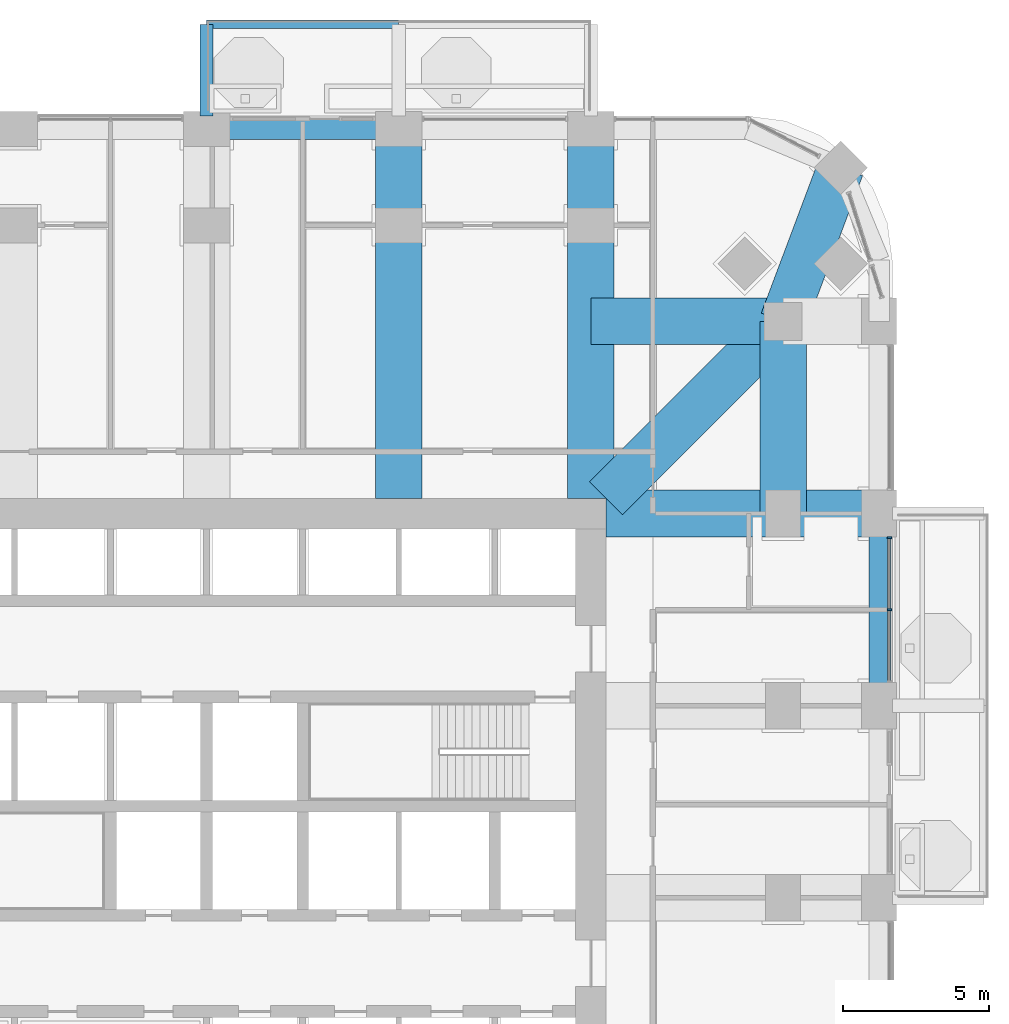
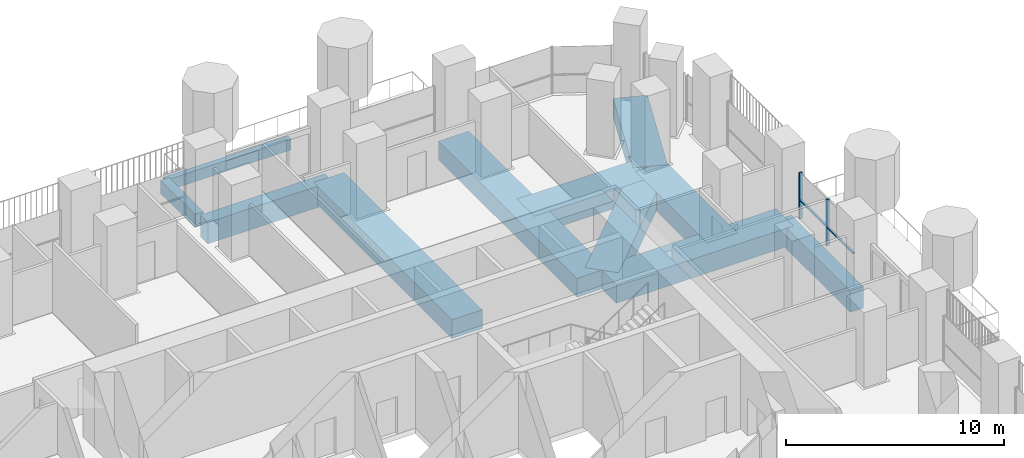
# One storey, part 7 of 22: 11 beams, 4 members, 1 element without a shape of its own.
"""IFC4 building model written with IfcOpenShell, lengths in metres."""

from ifc_helpers import new_model, si_unit, direction, frame, origin, origin_2d, place, context, subcontext, project, spatial, rectangle, extrude, material, material_profile, profile_set, type_object, element, aggregate, save


model = new_model("IFC4")

# Units and contexts
model_context = context("Model", 3, precision=1e-05, world=origin(), true_north=direction((0.0, 1.0)))
body_context = subcontext(model_context, "Body", "Model", "MODEL_VIEW")
ifc_project = project(units=[si_unit("LENGTHUNIT", "METRE"), si_unit("AREAUNIT", "SQUARE_METRE"), si_unit("VOLUMEUNIT", "CUBIC_METRE"), si_unit("PLANEANGLEUNIT", "RADIAN"), si_unit("MASSUNIT", "GRAM", prefix="KILO")], contexts=[model_context])

# Site, building, storey
site_placement = place(None, origin())
site = spatial("IfcSite", under=ifc_project, at=site_placement, CompositionType="ELEMENT")
building_placement = place(site_placement, origin())
building = spatial("IfcBuilding", under=site, at=building_placement, Name="Cobogo Forest Laboratory Tower", CompositionType="ELEMENT")
storey_placement = place(building_placement, frame((0.0, 0.0, 136.800048828125)))
storey = spatial("IfcBuildingStorey", under=building, at=storey_placement, Name="L31", CompositionType="ELEMENT", Elevation=136.800048828125)

# Beams
ifc_material_1 = material(Name="Concrete HA-40 (C40/50)", Category="concrete")
ifc_material_profile_1 = material_profile(ifc_material_1, rectangle(XDim=0.449951171875, YDim=0.75, at=origin_2d()), Name="RC 450x750")
ifc_profile_set_1 = profile_set([ifc_material_profile_1], Name="Concrete HA-40 (C40/50)")
beam_type_1 = type_object("IfcBeamType", Name="Balcony cantilever beam 450x750", PredefinedType="BEAM", material=ifc_profile_set_1)
beam_1_placement = place(storey_placement, frame((26.39990234375, 46.64990234375, -0.625), z_axis=(0.0, 1.0, 0.0), x_axis=(-1.0, 0.0, 0.0)))
element("IfcBeam", 1, at=beam_1_placement, inside=storey, type_object=beam_type_1, Name="CB1 BAL-N1-C1 L31", PredefinedType="BEAM", context=body_context, shape_type="SweptSolid", body=[
    extrude(rectangle(XDim=0.449951171875, YDim=0.75, at=origin_2d()), origin(), (0.0, 0.0, 1.0), 3.150146484375),
])
ifc_material_profile_2 = material_profile(ifc_material_1, rectangle(XDim=0.300048828125, YDim=0.60009765625, at=origin_2d()), Name="RC 300x600")
ifc_profile_set_2 = profile_set([ifc_material_profile_2], Name="Concrete HA-40 (C40/50)")
beam_type_2 = type_object("IfcBeamType", Name="Balcony edge beam 300x600", PredefinedType="BEAM", material=ifc_profile_set_2)
beam_2_placement = place(storey_placement, frame((26.39990234375, 49.800048828125, -0.550048828125), z_axis=(1.0, 0.0, 0.0), x_axis=(0.0, 1.0, 0.0)))
element("IfcBeam", 2, at=beam_2_placement, inside=storey, type_object=beam_type_2, Name="BB1 BAL-N1-T1 L31", PredefinedType="BEAM", context=body_context, shape_type="SweptSolid", body=[
    extrude(rectangle(XDim=0.300048828125, YDim=0.60009765625, at=origin_2d()), origin(), (0.0, 0.0, 1.0), 6.60009765625),
])
ifc_material_2 = material(Name="Concrete HA-50 (C50/60)", Category="concrete")
ifc_material_profile_3 = material_profile(ifc_material_2, rectangle(XDim=1.60009765625, YDim=1.050048828125, at=origin_2d()), Name="RC 1600x1050")
ifc_profile_set_3 = profile_set([ifc_material_profile_3], Name="Concrete HA-50 (C50/60)")
beam_type_3 = type_object("IfcBeamType", Name="Laboratory floor wide beam 1600x1050", PredefinedType="BEAM", material=ifc_profile_set_3)
for number, where, z_axis, x_axis, name in (
    (3, (33.0, 33.52490234375, -0.824951171875), (0.0, 1.0, 0.0), (-1.0, 0.0, 0.0), "RB8 R-6-N L31"),
    (4, (39.60009765625, 33.52490234375, -0.824951171875), (0.0, 1.0, 0.0), (-1.0, 0.0, 0.0), "RB8 R-7-N L31"),
):
    element("IfcBeam", number, at=place(storey_placement, frame(where, z_axis=z_axis, x_axis=x_axis)), inside=storey, type_object=beam_type_3, Name=name, PredefinedType="BEAM", context=body_context, shape_type="SweptSolid", body=[
        extrude(rectangle(XDim=1.60009765625, YDim=1.050048828125, at=origin_2d()), origin(), (0.0, 0.0, 1.0), 12.675048828125),
    ])
beam_3_placement = place(storey_placement, frame((40.125, 33.0, -0.824951171875), z_axis=(1.0, 0.0, 0.0), x_axis=(0.0, 1.0, 0.0)))
element("IfcBeam", 5, at=beam_3_placement, inside=storey, type_object=beam_type_3, Name="RB8 R-F-E L31", PredefinedType="BEAM", context=body_context, shape_type="SweptSolid", body=[
    extrude(rectangle(XDim=1.60009765625, YDim=1.050048828125, at=origin_2d()), origin(), (0.0, 0.0, 1.0), 9.375),
])
beam_4_placement = place(storey_placement, frame((46.199951171875, 39.60009765625, -0.824951171875), z_axis=(0.0, -1.0, 0.0), x_axis=(1.0, 0.0, 0.0)))
element("IfcBeam", 6, at=beam_4_placement, inside=storey, type_object=beam_type_3, Name="RB8 G-NE-XC L31", PredefinedType="BEAM", context=body_context, shape_type="SweptSolid", body=[
    extrude(rectangle(XDim=1.60009765625, YDim=1.050048828125, at=origin_2d()), origin(), (0.0, 0.0, 1.0), 6.60009765625),
])
beam_5_placement = place(storey_placement, frame((46.199951171875, 39.60009765625, -0.824951171875), z_axis=(-1.0, 0.0, 0.0), x_axis=(0.0, -1.0, 0.0)))
element("IfcBeam", 7, at=beam_5_placement, inside=storey, type_object=beam_type_3, Name="RB8 G-NE-YC L31", PredefinedType="BEAM", context=body_context, shape_type="SweptSolid", body=[
    extrude(rectangle(XDim=1.60009765625, YDim=1.050048828125, at=origin_2d()), origin(), (0.0, 0.0, 1.0), 6.599853515625),
])
beam_6_placement = place(storey_placement, frame((48.181884765625, 44.882080078125, -0.824951171875), z_axis=(-0.351308391925, -0.936259800356, 0.0), x_axis=(0.936259800356, -0.351308391925, 0.0)))
element("IfcBeam", 8, at=beam_6_placement, inside=storey, type_object=beam_type_3, Name="RB8 G-NE-D1 L31", PredefinedType="BEAM", context=body_context, shape_type="SweptSolid", body=[
    extrude(rectangle(XDim=1.60009765625, YDim=1.050048828125, at=origin_2d()), origin(), (0.0, 0.0, 1.0), 5.6416015625),
])
beam_7_placement = place(storey_placement, frame((46.199951171875, 39.60009765625, -0.824951171875), z_axis=(-0.707092572697, -0.70712098939, 0.0), x_axis=(0.70712098939, -0.707092572697, 0.0)))
element("IfcBeam", 9, at=beam_7_placement, inside=storey, type_object=beam_type_3, Name="RB8 G-NE-D2 L31", PredefinedType="BEAM", context=body_context, shape_type="SweptSolid", body=[
    extrude(rectangle(XDim=1.60009765625, YDim=1.050048828125, at=origin_2d()), origin(), (0.0, 0.0, 1.0), 8.591552734375),
])

# Curtain wall, members
ifc_material_3 = material(Name="Aluminium curtain wall", Category="aluminium")
curtain_wall_type = type_object("IfcCurtainWallType", Name="CW-1 unitised curtain wall, clear glazing, laboratory floors zones A and B", PredefinedType="USERDEFINED", material=ifc_material_3)
curtain_wall_placement = place(storey_placement, origin())
curtain_wall = element("IfcCurtainWall", 10, at=curtain_wall_placement, inside=storey, type_object=curtain_wall_type, Name="Curtain wall 13 L31", ObjectType="UNITISED CURTAIN WALL", PredefinedType="USERDEFINED")
ifc_material_4 = material(Name="Aluminium mullion", Category="aluminium")
ifc_material_profile_4 = material_profile(ifc_material_4, rectangle(XDim=0.06005859375, YDim=0.159912109375, at=origin_2d()), Name="AL 60x160")
ifc_profile_set_4 = profile_set([ifc_material_profile_4], Name="Aluminium mullion")
member_type_1 = type_object("IfcMemberType", Name="MU-1 aluminium mullion 60x160", PredefinedType="MULLION", material=ifc_profile_set_4)
member_1_placement = place(storey_placement, frame((49.85009765625, 29.699951171875, 0.0), z_axis=(0.0, 0.0, 1.0), x_axis=(0.0, 1.0, 0.0)))
member_1 = element("IfcMember", 11, at=member_1_placement, type_object=member_type_1, Name="CW-1 mullion 2", PredefinedType="MULLION", context=body_context, shape_type="SweptSolid", body=[
    extrude(rectangle(XDim=0.06005859375, YDim=0.159912109375, at=origin_2d()), origin(), (0.0, 0.0, 1.0), 2.599853515625),
])
member_2_placement = place(storey_placement, frame((49.85009765625, 32.169921875, 0.0), z_axis=(0.0, 0.0, 1.0), x_axis=(0.0, 1.0, 0.0)))
member_2 = element("IfcMember", 12, at=member_2_placement, type_object=member_type_1, Name="CW-1 mullion 3", PredefinedType="MULLION", context=body_context, shape_type="SweptSolid", body=[
    extrude(rectangle(XDim=0.06005859375, YDim=0.159912109375, at=origin_2d()), origin(), (0.0, 0.0, 1.0), 2.599853515625),
])

# Beams
ifc_material_profile_5 = material_profile(ifc_material_1, rectangle(XDim=0.699951171875, YDim=1.199951171875, at=origin_2d()), Name="RC 700x1200")
ifc_profile_set_5 = profile_set([ifc_material_profile_5], Name="Concrete HA-40 (C40/50)")
beam_type_4 = type_object("IfcBeamType", Name="Perimeter edge beam 700x1200", PredefinedType="BEAM", material=ifc_profile_set_5)
for number, where, z_axis, x_axis, name in (
    (13, (49.5, 26.39990234375, -0.900146484375), (0.0, 1.0, 0.0), (-1.0, 0.0, 0.0), "EB1 E-E4 L31"),
    (14, (26.39990234375, 46.199951171875, -0.900146484375), (1.0, 0.0, 0.0), (0.0, 1.0, 0.0), "EB1 E-N3 L31"),
):
    element("IfcBeam", number, at=place(storey_placement, frame(where, z_axis=z_axis, x_axis=x_axis)), inside=storey, type_object=beam_type_4, Name=name, PredefinedType="BEAM", context=body_context, shape_type="SweptSolid", body=[
        extrude(rectangle(XDim=0.699951171875, YDim=1.199951171875, at=origin_2d()), origin(), (0.0, 0.0, 1.0), 6.60009765625),
    ])

# Member
ifc_material_5 = material(Name="Aluminium transom", Category="aluminium")
ifc_material_profile_6 = material_profile(ifc_material_5, rectangle(XDim=0.1201171875, YDim=0.06005859375, at=origin_2d()), Name="AL 60x120")
ifc_profile_set_6 = profile_set([ifc_material_profile_6], Name="Aluminium transom")
member_type_2 = type_object("IfcMemberType", Name="TR-1 aluminium transom 60x120", PredefinedType="USERDEFINED", material=ifc_profile_set_6)
member_3_placement = place(storey_placement, frame((49.85009765625, 27.260009765625, 1.050048828125), z_axis=(0.0, 1.0, 0.0), x_axis=(-1.0, 0.0, 0.0)))
member_3 = element("IfcMember", 15, at=member_3_placement, type_object=member_type_2, Name="CW-1 transom 1.1", ObjectType="TRANSOM", PredefinedType="USERDEFINED", context=body_context, shape_type="SweptSolid", body=[
    extrude(rectangle(XDim=0.1201171875, YDim=0.06005859375, at=origin_2d()), origin(), (0.0, 0.0, 1.0), 2.409912109375),
])

member_4_placement = place(storey_placement, frame((49.85009765625, 29.72998046875, 1.050048828125), z_axis=(0.0, 1.0, 0.0), x_axis=(-1.0, 0.0, 0.0)))
member_4 = element("IfcMember", 16, at=member_4_placement, type_object=member_type_2, Name="CW-1 transom 2.1", ObjectType="TRANSOM", PredefinedType="USERDEFINED", context=body_context, shape_type="SweptSolid", body=[
    extrude(rectangle(XDim=0.1201171875, YDim=0.06005859375, at=origin_2d()), origin(), (0.0, 0.0, 1.0), 2.409912109375),
])

aggregate(curtain_wall, [member_1, member_2, member_3, member_4])

save(model, "model.ifc")
